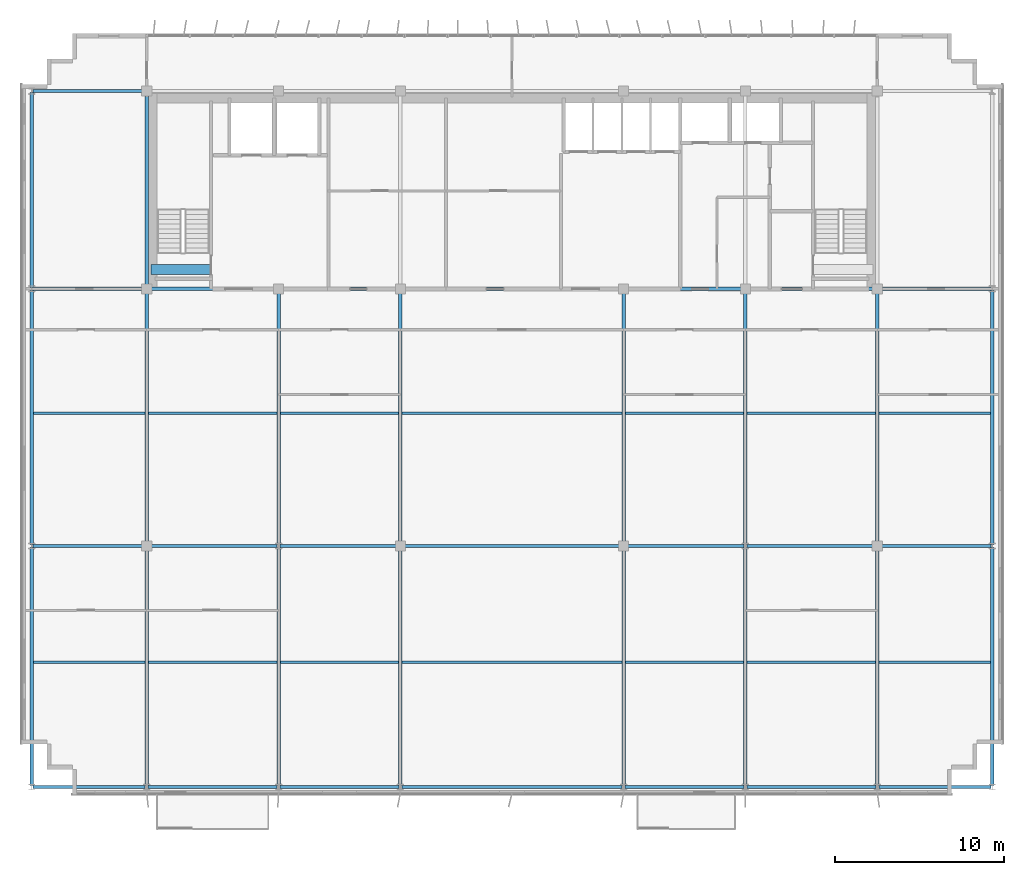
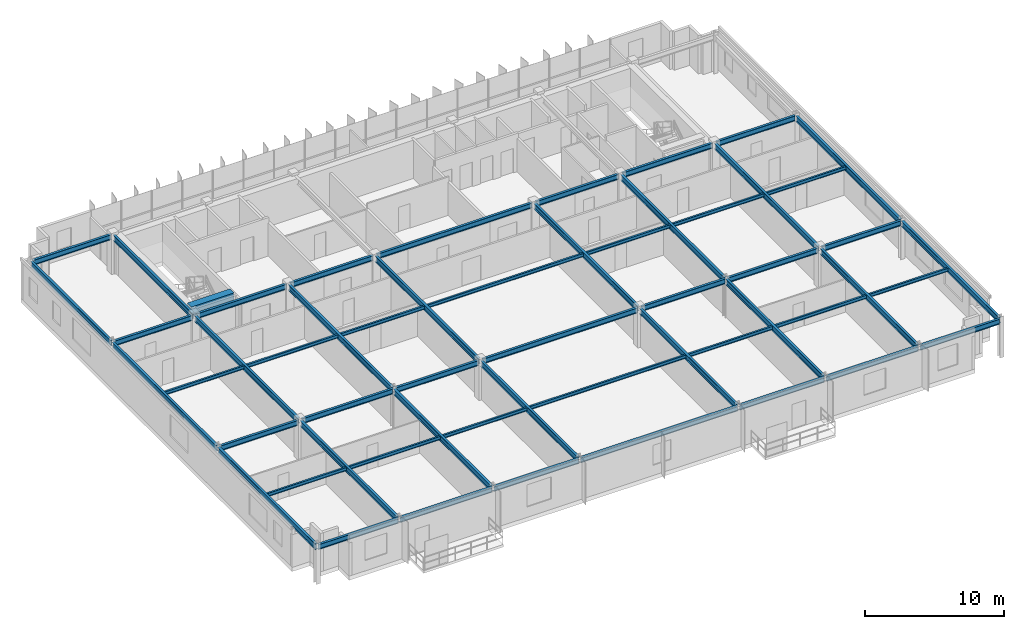
# One storey, part 5 of 21: 55 beams.
"""IFC4 building model written with IfcOpenShell, lengths in metres."""

from ifc_helpers import new_model, si_unit, direction, frame, origin, origin_2d, place, context, subcontext, project, spatial, rectangle, i_section, extrude, source, transform, mapped, material, material_profile, profile_set, type_object, element, save


model = new_model("IFC4")

# Units and contexts
model_context = context("Model", 3, precision=1e-05, world=origin(), true_north=direction((0.0, 1.0)))
body_context = subcontext(model_context, "Body", "Model", "MODEL_VIEW")
ifc_project = project(units=[si_unit("LENGTHUNIT", "METRE"), si_unit("AREAUNIT", "SQUARE_METRE"), si_unit("VOLUMEUNIT", "CUBIC_METRE"), si_unit("PLANEANGLEUNIT", "RADIAN"), si_unit("MASSUNIT", "GRAM", prefix="KILO")], contexts=[model_context])

# Site, building, storey
site_placement = place(None, origin())
site = spatial("IfcSite", under=ifc_project, at=site_placement, CompositionType="ELEMENT")
building_placement = place(site_placement, origin())
building = spatial("IfcBuilding", under=site, at=building_placement, Name="Trelvane Seafront Commons", CompositionType="ELEMENT")
storey_placement = place(building_placement, frame((0.0, 0.0, 248.699951171875)))
storey = spatial("IfcBuildingStorey", under=building, at=storey_placement, Name="L64", CompositionType="ELEMENT", Elevation=248.699951171875)

# Beams
ifc_material_1 = material(Name="Concrete C60/75", Category="concrete")
ifc_material_profile_1 = material_profile(ifc_material_1, rectangle(XDim=0.60009765625, YDim=0.89990234375, at=origin_2d()), Name="RC-600x900")
ifc_profile_set_1 = profile_set([ifc_material_profile_1], Name="Concrete C60/75")
beam_type_1 = type_object("IfcBeamType", Name="STR-LNT-RC600x900", PredefinedType="LINTEL", material=ifc_profile_set_1)
shared_shape_1 = source(origin(), body_context, "Body", "SweptSolid", [
    extrude(rectangle(XDim=0.60009765625, YDim=0.89990234375, at=origin_2d()), origin(), (0.0, 0.0, 1.0), 3.5498046875),
])
beam_1_placement = place(storey_placement, frame((15.85009765625, 34.550048828125, 2.920166015625), z_axis=(1.0, 0.0, 0.0), x_axis=(0.0, 1.0, 0.0)))
element("IfcBeam", 1, at=beam_1_placement, inside=storey, type_object=beam_type_1, Name="L64 Core Coupling Lintel Beam CB-67", PredefinedType="LINTEL", context=body_context, shape_type="MappedRepresentation", body=[
    mapped(shared_shape_1, transform((0.0, 0.0, 0.0), x_axis=(1.0, 0.0, 0.0), y_axis=(0.0, 1.0, 0.0), z_axis=(0.0, 0.0, 1.0), scale=1.0)),
])
ifc_material_2 = material(Name="Steel SM355 (S355)", Category="steel")
ifc_material_profile_2 = material_profile(ifc_material_2, i_section(OverallWidth=0.199951171875, OverallDepth=0.5, WebThickness=0.010009765625, FlangeThickness=0.01611328125, at=origin_2d()), Name="H-500x200x10x16")
ifc_profile_set_2 = profile_set([ifc_material_profile_2], Name="Steel SM355 (S355)")
beam_type_2 = type_object("IfcBeamType", Name="STR-BM-H500", PredefinedType="BEAM", material=ifc_profile_set_2)
shared_shape_2 = source(origin(), body_context, "Body", "SweptSolid", [
    extrude(i_section(OverallWidth=0.199951171875, OverallDepth=0.5, WebThickness=0.010009765625, FlangeThickness=0.01611328125, at=origin_2d()), origin(), (0.0, 0.0, 1.0), 14.89990234375),
])
for number, where, z_axis, x_axis, name in (
    (2, (15.60009765625, 18.35009765625, 3.1201171875), (0.0, 1.0, 0.0), (-1.0, 0.0, 0.0), "L64 Primary Girder G-33"),
    (3, (30.60009765625, 18.35009765625, 3.1201171875), (0.0, 1.0, 0.0), (-1.0, 0.0, 0.0), "L64 Primary Girder G-39"),
    (4, (43.800048828125, 18.35009765625, 3.1201171875), (0.0, 1.0, 0.0), (-1.0, 0.0, 0.0), "L64 Primary Girder G-42"),
    (5, (58.800048828125, 18.35009765625, 3.1201171875), (0.0, 1.0, 0.0), (-1.0, 0.0, 0.0), "L64 Primary Girder G-48"),
):
    element("IfcBeam", number, at=place(storey_placement, frame(where, z_axis=z_axis, x_axis=x_axis)), inside=storey, type_object=beam_type_2, Name=name, PredefinedType="BEAM", context=body_context, shape_type="MappedRepresentation", body=[
        mapped(shared_shape_2, transform((0.0, 0.0, 0.0), x_axis=(1.0, 0.0, 0.0), y_axis=(0.0, 1.0, 0.0), z_axis=(0.0, 0.0, 1.0), scale=1.0)),
    ])
shared_shape_3 = source(origin(), body_context, "Body", "SweptSolid", [
    extrude(i_section(OverallWidth=0.199951171875, OverallDepth=0.5, WebThickness=0.010009765625, FlangeThickness=0.01611328125, at=origin_2d()), origin(), (0.0, 0.0, 1.0), 11.39990234375),
])
beam_2_placement = place(storey_placement, frame((15.60009765625, 33.550048828125, 3.1201171875), z_axis=(0.0, 1.0, 0.0), x_axis=(-1.0, 0.0, 0.0)))
element("IfcBeam", 6, at=beam_2_placement, inside=storey, type_object=beam_type_2, Name="L64 Primary Girder G-34", PredefinedType="BEAM", context=body_context, shape_type="MappedRepresentation", body=[
    mapped(shared_shape_3, transform((0.0, 0.0, 0.0), x_axis=(1.0, 0.0, 0.0), y_axis=(0.0, 1.0, 0.0), z_axis=(0.0, 0.0, 1.0), scale=1.0)),
])
ifc_material_profile_3 = material_profile(ifc_material_2, i_section(OverallWidth=0.199951171875, OverallDepth=0.449951171875, WebThickness=0.009033203125, FlangeThickness=0.013916015625, at=origin_2d()), Name="H-450x200x9x14")
ifc_profile_set_3 = profile_set([ifc_material_profile_3], Name="Steel SM355 (S355)")
beam_type_3 = type_object("IfcBeamType", Name="STR-SPD-H450", PredefinedType="SPANDREL", material=ifc_profile_set_3)
shared_shape_4 = source(origin(), body_context, "Body", "SweptSolid", [
    extrude(i_section(OverallWidth=0.199951171875, OverallDepth=0.449951171875, WebThickness=0.009033203125, FlangeThickness=0.013916015625, at=origin_2d()), origin(), (0.0, 0.0, 1.0), 6.625),
])
for number, where, z_axis, x_axis, name in (
    (7, (8.887451171875, 3.949951171875, 3.14501953125), (1.0, 0.0, 0.0), (0.0, 1.0, 0.0), "L64 Primary Girder G-01"),
    (8, (58.887451171875, 3.949951171875, 3.14501953125), (1.0, 0.0, 0.0), (0.0, 1.0, 0.0), "L64 Primary Girder G-07"),
):
    element("IfcBeam", number, at=place(storey_placement, frame(where, z_axis=z_axis, x_axis=x_axis)), inside=storey, type_object=beam_type_3, Name=name, PredefinedType="SPANDREL", context=body_context, shape_type="MappedRepresentation", body=[
        mapped(shared_shape_4, transform((0.0, 0.0, 0.0), x_axis=(1.0, 0.0, 0.0), y_axis=(0.0, 1.0, 0.0), z_axis=(0.0, 0.0, 1.0), scale=1.0)),
    ])
shared_shape_5 = source(origin(), body_context, "Body", "SweptSolid", [
    extrude(i_section(OverallWidth=0.199951171875, OverallDepth=0.449951171875, WebThickness=0.009033203125, FlangeThickness=0.013916015625, at=origin_2d()), origin(), (0.0, 0.0, 1.0), 7.625),
])
for number, where, z_axis, x_axis, name in (
    (9, (15.6875, 3.949951171875, 3.14501953125), (1.0, 0.0, 0.0), (0.0, 1.0, 0.0), "L64 Primary Girder G-02"),
    (10, (51.08740234375, 3.949951171875, 3.14501953125), (1.0, 0.0, 0.0), (0.0, 1.0, 0.0), "L64 Primary Girder G-06"),
):
    element("IfcBeam", number, at=place(storey_placement, frame(where, z_axis=z_axis, x_axis=x_axis)), inside=storey, type_object=beam_type_3, Name=name, PredefinedType="SPANDREL", context=body_context, shape_type="MappedRepresentation", body=[
        mapped(shared_shape_5, transform((0.0, 0.0, 0.0), x_axis=(1.0, 0.0, 0.0), y_axis=(0.0, 1.0, 0.0), z_axis=(0.0, 0.0, 1.0), scale=1.0)),
    ])
shared_shape_6 = source(origin(), body_context, "Body", "SweptSolid", [
    extrude(i_section(OverallWidth=0.199951171875, OverallDepth=0.449951171875, WebThickness=0.009033203125, FlangeThickness=0.013916015625, at=origin_2d()), origin(), (0.0, 0.0, 1.0), 7.02490234375),
])
beam_3_placement = place(storey_placement, frame((23.487548828125, 3.949951171875, 3.14501953125), z_axis=(1.0, 0.0, 0.0), x_axis=(0.0, 1.0, 0.0)))
element("IfcBeam", 11, at=beam_3_placement, inside=storey, type_object=beam_type_3, Name="L64 Primary Girder G-03", PredefinedType="SPANDREL", context=body_context, shape_type="MappedRepresentation", body=[
    mapped(shared_shape_6, transform((0.0, 0.0, 0.0), x_axis=(1.0, 0.0, 0.0), y_axis=(0.0, 1.0, 0.0), z_axis=(0.0, 0.0, 1.0), scale=1.0)),
])
shared_shape_7 = source(origin(), body_context, "Body", "SweptSolid", [
    extrude(i_section(OverallWidth=0.199951171875, OverallDepth=0.449951171875, WebThickness=0.009033203125, FlangeThickness=0.013916015625, at=origin_2d()), origin(), (0.0, 0.0, 1.0), 7.025146484375),
])
beam_4_placement = place(storey_placement, frame((43.887451171875, 3.949951171875, 3.14501953125), z_axis=(1.0, 0.0, 0.0), x_axis=(0.0, 1.0, 0.0)))
element("IfcBeam", 12, at=beam_4_placement, inside=storey, type_object=beam_type_3, Name="L64 Primary Girder G-05", PredefinedType="SPANDREL", context=body_context, shape_type="MappedRepresentation", body=[
    mapped(shared_shape_7, transform((0.0, 0.0, 0.0), x_axis=(1.0, 0.0, 0.0), y_axis=(0.0, 1.0, 0.0), z_axis=(0.0, 0.0, 1.0), scale=1.0)),
])
shared_shape_8 = source(origin(), body_context, "Body", "SweptSolid", [
    extrude(i_section(OverallWidth=0.199951171875, OverallDepth=0.449951171875, WebThickness=0.009033203125, FlangeThickness=0.013916015625, at=origin_2d()), origin(), (0.0, 0.0, 1.0), 6.5625),
])
for number, where, z_axis, x_axis, name in (
    (13, (8.887451171875, 18.199951171875, 3.14501953125), (1.0, 0.0, 0.0), (0.0, 1.0, 0.0), "L64 Primary Girder G-08"),
    (14, (58.949951171875, 18.199951171875, 3.14501953125), (1.0, 0.0, 0.0), (0.0, 1.0, 0.0), "L64 Primary Girder G-14"),
    (15, (8.887451171875, 33.39990234375, 3.14501953125), (1.0, 0.0, 0.0), (0.0, 1.0, 0.0), "L64 Primary Girder G-15"),
    (16, (58.949951171875, 33.39990234375, 3.14501953125), (1.0, 0.0, 0.0), (0.0, 1.0, 0.0), "L64 Primary Girder G-21"),
    (17, (8.887451171875, 45.10009765625, 3.14501953125), (1.0, 0.0, 0.0), (0.0, 1.0, 0.0), "L64 Primary Girder G-22"),
):
    element("IfcBeam", number, at=place(storey_placement, frame(where, z_axis=z_axis, x_axis=x_axis)), inside=storey, type_object=beam_type_3, Name=name, PredefinedType="SPANDREL", context=body_context, shape_type="MappedRepresentation", body=[
        mapped(shared_shape_8, transform((0.0, 0.0, 0.0), x_axis=(1.0, 0.0, 0.0), y_axis=(0.0, 1.0, 0.0), z_axis=(0.0, 0.0, 1.0), scale=1.0)),
    ])
shared_shape_9 = source(origin(), body_context, "Body", "SweptSolid", [
    extrude(i_section(OverallWidth=0.199951171875, OverallDepth=0.449951171875, WebThickness=0.009033203125, FlangeThickness=0.013916015625, at=origin_2d()), origin(), (0.0, 0.0, 1.0), 7.5625),
])
for number, where, z_axis, x_axis, name in (
    (18, (15.75, 18.199951171875, 3.14501953125), (1.0, 0.0, 0.0), (0.0, 1.0, 0.0), "L64 Primary Girder G-09"),
    (19, (51.08740234375, 18.199951171875, 3.14501953125), (1.0, 0.0, 0.0), (0.0, 1.0, 0.0), "L64 Primary Girder G-13"),
):
    element("IfcBeam", number, at=place(storey_placement, frame(where, z_axis=z_axis, x_axis=x_axis)), inside=storey, type_object=beam_type_3, Name=name, PredefinedType="SPANDREL", context=body_context, shape_type="MappedRepresentation", body=[
        mapped(shared_shape_9, transform((0.0, 0.0, 0.0), x_axis=(1.0, 0.0, 0.0), y_axis=(0.0, 1.0, 0.0), z_axis=(0.0, 0.0, 1.0), scale=1.0)),
    ])
shared_shape_10 = source(origin(), body_context, "Body", "SweptSolid", [
    extrude(i_section(OverallWidth=0.199951171875, OverallDepth=0.449951171875, WebThickness=0.009033203125, FlangeThickness=0.013916015625, at=origin_2d()), origin(), (0.0, 0.0, 1.0), 6.96240234375),
])
beam_5_placement = place(storey_placement, frame((23.487548828125, 18.199951171875, 3.14501953125), z_axis=(1.0, 0.0, 0.0), x_axis=(0.0, 1.0, 0.0)))
element("IfcBeam", 20, at=beam_5_placement, inside=storey, type_object=beam_type_3, Name="L64 Primary Girder G-10", PredefinedType="SPANDREL", context=body_context, shape_type="MappedRepresentation", body=[
    mapped(shared_shape_10, transform((0.0, 0.0, 0.0), x_axis=(1.0, 0.0, 0.0), y_axis=(0.0, 1.0, 0.0), z_axis=(0.0, 0.0, 1.0), scale=1.0)),
])
shared_shape_11 = source(origin(), body_context, "Body", "SweptSolid", [
    extrude(i_section(OverallWidth=0.199951171875, OverallDepth=0.449951171875, WebThickness=0.009033203125, FlangeThickness=0.013916015625, at=origin_2d()), origin(), (0.0, 0.0, 1.0), 6.962646484375),
])
beam_6_placement = place(storey_placement, frame((43.949951171875, 18.199951171875, 3.14501953125), z_axis=(1.0, 0.0, 0.0), x_axis=(0.0, 1.0, 0.0)))
element("IfcBeam", 21, at=beam_6_placement, inside=storey, type_object=beam_type_3, Name="L64 Primary Girder G-12", PredefinedType="SPANDREL", context=body_context, shape_type="MappedRepresentation", body=[
    mapped(shared_shape_11, transform((0.0, 0.0, 0.0), x_axis=(1.0, 0.0, 0.0), y_axis=(0.0, 1.0, 0.0), z_axis=(0.0, 0.0, 1.0), scale=1.0)),
])
shared_shape_12 = source(origin(), body_context, "Body", "SweptSolid", [
    extrude(i_section(OverallWidth=0.199951171875, OverallDepth=0.449951171875, WebThickness=0.009033203125, FlangeThickness=0.013916015625, at=origin_2d()), origin(), (0.0, 0.0, 1.0), 7.5),
])
for number, where, z_axis, x_axis, name in (
    (22, (15.75, 33.39990234375, 3.14501953125), (1.0, 0.0, 0.0), (0.0, 1.0, 0.0), "L64 Primary Girder G-16"),
    (23, (51.14990234375, 33.39990234375, 3.14501953125), (1.0, 0.0, 0.0), (0.0, 1.0, 0.0), "L64 Primary Girder G-20"),
):
    element("IfcBeam", number, at=place(storey_placement, frame(where, z_axis=z_axis, x_axis=x_axis)), inside=storey, type_object=beam_type_3, Name=name, PredefinedType="SPANDREL", context=body_context, shape_type="MappedRepresentation", body=[
        mapped(shared_shape_12, transform((0.0, 0.0, 0.0), x_axis=(1.0, 0.0, 0.0), y_axis=(0.0, 1.0, 0.0), z_axis=(0.0, 0.0, 1.0), scale=1.0)),
    ])
shared_shape_13 = source(origin(), body_context, "Body", "SweptSolid", [
    extrude(i_section(OverallWidth=0.199951171875, OverallDepth=0.449951171875, WebThickness=0.009033203125, FlangeThickness=0.013916015625, at=origin_2d()), origin(), (0.0, 0.0, 1.0), 6.89990234375),
])
beam_7_placement = place(storey_placement, frame((23.550048828125, 33.39990234375, 3.14501953125), z_axis=(1.0, 0.0, 0.0), x_axis=(0.0, 1.0, 0.0)))
element("IfcBeam", 24, at=beam_7_placement, inside=storey, type_object=beam_type_3, Name="L64 Primary Girder G-17", PredefinedType="SPANDREL", context=body_context, shape_type="MappedRepresentation", body=[
    mapped(shared_shape_13, transform((0.0, 0.0, 0.0), x_axis=(1.0, 0.0, 0.0), y_axis=(0.0, 1.0, 0.0), z_axis=(0.0, 0.0, 1.0), scale=1.0)),
])
shared_shape_14 = source(origin(), body_context, "Body", "SweptSolid", [
    extrude(i_section(OverallWidth=0.199951171875, OverallDepth=0.449951171875, WebThickness=0.009033203125, FlangeThickness=0.013916015625, at=origin_2d()), origin(), (0.0, 0.0, 1.0), 12.89990234375),
])
for number, where, z_axis, x_axis, name in (
    (25, (30.75, 18.199951171875, 3.14501953125), (1.0, 0.0, 0.0), (0.0, 1.0, 0.0), "L64 Primary Girder G-11"),
    (26, (30.75, 33.39990234375, 3.14501953125), (1.0, 0.0, 0.0), (0.0, 1.0, 0.0), "L64 Primary Girder G-18"),
):
    element("IfcBeam", number, at=place(storey_placement, frame(where, z_axis=z_axis, x_axis=x_axis)), inside=storey, type_object=beam_type_3, Name=name, PredefinedType="SPANDREL", context=body_context, shape_type="MappedRepresentation", body=[
        mapped(shared_shape_14, transform((0.0, 0.0, 0.0), x_axis=(1.0, 0.0, 0.0), y_axis=(0.0, 1.0, 0.0), z_axis=(0.0, 0.0, 1.0), scale=1.0)),
    ])
shared_shape_15 = source(origin(), body_context, "Body", "SweptSolid", [
    extrude(i_section(OverallWidth=0.199951171875, OverallDepth=0.449951171875, WebThickness=0.009033203125, FlangeThickness=0.013916015625, at=origin_2d()), origin(), (0.0, 0.0, 1.0), 6.900146484375),
])
beam_8_placement = place(storey_placement, frame((43.949951171875, 33.39990234375, 3.14501953125), z_axis=(1.0, 0.0, 0.0), x_axis=(0.0, 1.0, 0.0)))
element("IfcBeam", 27, at=beam_8_placement, inside=storey, type_object=beam_type_3, Name="L64 Primary Girder G-19", PredefinedType="SPANDREL", context=body_context, shape_type="MappedRepresentation", body=[
    mapped(shared_shape_15, transform((0.0, 0.0, 0.0), x_axis=(1.0, 0.0, 0.0), y_axis=(0.0, 1.0, 0.0), z_axis=(0.0, 0.0, 1.0), scale=1.0)),
])
shared_shape_16 = source(origin(), body_context, "Body", "SweptSolid", [
    extrude(i_section(OverallWidth=0.199951171875, OverallDepth=0.5, WebThickness=0.010009765625, FlangeThickness=0.01611328125, at=origin_2d()), origin(), (0.0, 0.0, 1.0), 14.074951171875),
])
for number, where, z_axis, x_axis, name in (
    (28, (8.800048828125, 4.03759765625, 3.1201171875), (0.0, 1.0, 0.0), (-1.0, 0.0, 0.0), "L64 Primary Girder G-29"),
    (29, (23.39990234375, 4.03759765625, 3.1201171875), (0.0, 1.0, 0.0), (-1.0, 0.0, 0.0), "L64 Primary Girder G-35"),
    (30, (51.0, 4.03759765625, 3.1201171875), (0.0, 1.0, 0.0), (-1.0, 0.0, 0.0), "L64 Primary Girder G-44"),
    (31, (65.60009765625, 4.03759765625, 3.1201171875), (0.0, 1.0, 0.0), (-1.0, 0.0, 0.0), "L64 Primary Girder G-50"),
):
    element("IfcBeam", number, at=place(storey_placement, frame(where, z_axis=z_axis, x_axis=x_axis)), inside=storey, type_object=beam_type_2, Name=name, PredefinedType="BEAM", context=body_context, shape_type="MappedRepresentation", body=[
        mapped(shared_shape_16, transform((0.0, 0.0, 0.0), x_axis=(1.0, 0.0, 0.0), y_axis=(0.0, 1.0, 0.0), z_axis=(0.0, 0.0, 1.0), scale=1.0)),
    ])
shared_shape_17 = source(origin(), body_context, "Body", "SweptSolid", [
    extrude(i_section(OverallWidth=0.199951171875, OverallDepth=0.5, WebThickness=0.010009765625, FlangeThickness=0.01611328125, at=origin_2d()), origin(), (0.0, 0.0, 1.0), 15.02490234375),
])
for number, where, z_axis, x_axis, name in (
    (32, (8.800048828125, 18.28759765625, 3.1201171875), (0.0, 1.0, 0.0), (-1.0, 0.0, 0.0), "L64 Primary Girder G-30"),
    (33, (65.60009765625, 18.28759765625, 3.1201171875), (0.0, 1.0, 0.0), (-1.0, 0.0, 0.0), "L64 Primary Girder G-51"),
):
    element("IfcBeam", number, at=place(storey_placement, frame(where, z_axis=z_axis, x_axis=x_axis)), inside=storey, type_object=beam_type_2, Name=name, PredefinedType="BEAM", context=body_context, shape_type="MappedRepresentation", body=[
        mapped(shared_shape_17, transform((0.0, 0.0, 0.0), x_axis=(1.0, 0.0, 0.0), y_axis=(0.0, 1.0, 0.0), z_axis=(0.0, 0.0, 1.0), scale=1.0)),
    ])
shared_shape_18 = source(origin(), body_context, "Body", "SweptSolid", [
    extrude(i_section(OverallWidth=0.199951171875, OverallDepth=0.5, WebThickness=0.010009765625, FlangeThickness=0.01611328125, at=origin_2d()), origin(), (0.0, 0.0, 1.0), 11.52490234375),
])
beam_9_placement = place(storey_placement, frame((8.800048828125, 33.487548828125, 3.1201171875), z_axis=(0.0, 1.0, 0.0), x_axis=(-1.0, 0.0, 0.0)))
element("IfcBeam", 34, at=beam_9_placement, inside=storey, type_object=beam_type_2, Name="L64 Primary Girder G-31", PredefinedType="BEAM", context=body_context, shape_type="MappedRepresentation", body=[
    mapped(shared_shape_18, transform((0.0, 0.0, 0.0), x_axis=(1.0, 0.0, 0.0), y_axis=(0.0, 1.0, 0.0), z_axis=(0.0, 0.0, 1.0), scale=1.0)),
])
shared_shape_19 = source(origin(), body_context, "Body", "SweptSolid", [
    extrude(i_section(OverallWidth=0.199951171875, OverallDepth=0.5, WebThickness=0.010009765625, FlangeThickness=0.01611328125, at=origin_2d()), origin(), (0.0, 0.0, 1.0), 14.012451171875),
])
for number, where, z_axis, x_axis, name in (
    (35, (15.60009765625, 4.03759765625, 3.1201171875), (0.0, 1.0, 0.0), (-1.0, 0.0, 0.0), "L64 Primary Girder G-32"),
    (36, (30.60009765625, 4.03759765625, 3.1201171875), (0.0, 1.0, 0.0), (-1.0, 0.0, 0.0), "L64 Primary Girder G-38"),
    (37, (43.800048828125, 4.03759765625, 3.1201171875), (0.0, 1.0, 0.0), (-1.0, 0.0, 0.0), "L64 Primary Girder G-41"),
    (38, (58.800048828125, 4.03759765625, 3.1201171875), (0.0, 1.0, 0.0), (-1.0, 0.0, 0.0), "L64 Primary Girder G-47"),
):
    element("IfcBeam", number, at=place(storey_placement, frame(where, z_axis=z_axis, x_axis=x_axis)), inside=storey, type_object=beam_type_2, Name=name, PredefinedType="BEAM", context=body_context, shape_type="MappedRepresentation", body=[
        mapped(shared_shape_19, transform((0.0, 0.0, 0.0), x_axis=(1.0, 0.0, 0.0), y_axis=(0.0, 1.0, 0.0), z_axis=(0.0, 0.0, 1.0), scale=1.0)),
    ])
shared_shape_20 = source(origin(), body_context, "Body", "SweptSolid", [
    extrude(i_section(OverallWidth=0.199951171875, OverallDepth=0.5, WebThickness=0.010009765625, FlangeThickness=0.01611328125, at=origin_2d()), origin(), (0.0, 0.0, 1.0), 14.96240234375),
])
for number, where, z_axis, x_axis, name in (
    (39, (23.39990234375, 18.28759765625, 3.1201171875), (0.0, 1.0, 0.0), (-1.0, 0.0, 0.0), "L64 Primary Girder G-36"),
    (40, (51.0, 18.28759765625, 3.1201171875), (0.0, 1.0, 0.0), (-1.0, 0.0, 0.0), "L64 Primary Girder G-45"),
):
    element("IfcBeam", number, at=place(storey_placement, frame(where, z_axis=z_axis, x_axis=x_axis)), inside=storey, type_object=beam_type_2, Name=name, PredefinedType="BEAM", context=body_context, shape_type="MappedRepresentation", body=[
        mapped(shared_shape_20, transform((0.0, 0.0, 0.0), x_axis=(1.0, 0.0, 0.0), y_axis=(0.0, 1.0, 0.0), z_axis=(0.0, 0.0, 1.0), scale=1.0)),
    ])
ifc_material_profile_4 = material_profile(ifc_material_2, i_section(OverallWidth=0.14990234375, OverallDepth=0.300048828125, WebThickness=0.006591796875, FlangeThickness=0.009033203125, at=origin_2d()), Name="H-300x150x6.5x9")
ifc_profile_set_4 = profile_set([ifc_material_profile_4], Name="Steel SM355 (S355)")
beam_type_4 = type_object("IfcBeamType", Name="STR-JST-H300", PredefinedType="JOIST", material=ifc_profile_set_4)
shared_shape_21 = source(origin(), body_context, "Body", "SweptSolid", [
    extrude(i_section(OverallWidth=0.14990234375, OverallDepth=0.300048828125, WebThickness=0.006591796875, FlangeThickness=0.009033203125, at=origin_2d()), origin(), (0.0, 0.0, 1.0), 6.60009765625),
])
for number, where, z_axis, x_axis, name in (
    (41, (8.89990234375, 11.324951171875, 3.219970703125), (1.0, 0.0, 0.0), (0.0, 1.0, 0.0), "L64 Secondary Floor Joist B-53"),
    (42, (58.89990234375, 11.324951171875, 3.219970703125), (1.0, 0.0, 0.0), (0.0, 1.0, 0.0), "L64 Secondary Floor Joist B-59"),
    (43, (8.89990234375, 26.050048828125, 3.219970703125), (1.0, 0.0, 0.0), (0.0, 1.0, 0.0), "L64 Secondary Floor Joist B-60"),
    (44, (58.89990234375, 26.050048828125, 3.219970703125), (1.0, 0.0, 0.0), (0.0, 1.0, 0.0), "L64 Secondary Floor Joist B-66"),
):
    element("IfcBeam", number, at=place(storey_placement, frame(where, z_axis=z_axis, x_axis=x_axis)), inside=storey, type_object=beam_type_4, Name=name, PredefinedType="JOIST", context=body_context, shape_type="MappedRepresentation", body=[
        mapped(shared_shape_21, transform((0.0, 0.0, 0.0), x_axis=(1.0, 0.0, 0.0), y_axis=(0.0, 1.0, 0.0), z_axis=(0.0, 0.0, 1.0), scale=1.0)),
    ])
shared_shape_22 = source(origin(), body_context, "Body", "SweptSolid", [
    extrude(i_section(OverallWidth=0.14990234375, OverallDepth=0.300048828125, WebThickness=0.006591796875, FlangeThickness=0.009033203125, at=origin_2d()), origin(), (0.0, 0.0, 1.0), 7.60009765625),
])
for number, where, z_axis, x_axis, name in (
    (45, (15.699951171875, 11.324951171875, 3.219970703125), (1.0, 0.0, 0.0), (0.0, 1.0, 0.0), "L64 Secondary Floor Joist B-54"),
    (46, (15.699951171875, 26.050048828125, 3.219970703125), (1.0, 0.0, 0.0), (0.0, 1.0, 0.0), "L64 Secondary Floor Joist B-61"),
):
    element("IfcBeam", number, at=place(storey_placement, frame(where, z_axis=z_axis, x_axis=x_axis)), inside=storey, type_object=beam_type_4, Name=name, PredefinedType="JOIST", context=body_context, shape_type="MappedRepresentation", body=[
        mapped(shared_shape_22, transform((0.0, 0.0, 0.0), x_axis=(1.0, 0.0, 0.0), y_axis=(0.0, 1.0, 0.0), z_axis=(0.0, 0.0, 1.0), scale=1.0)),
    ])
shared_shape_23 = source(origin(), body_context, "Body", "SweptSolid", [
    extrude(i_section(OverallWidth=0.14990234375, OverallDepth=0.300048828125, WebThickness=0.006591796875, FlangeThickness=0.009033203125, at=origin_2d()), origin(), (0.0, 0.0, 1.0), 7.0),
])
for number, where, z_axis, x_axis, name in (
    (47, (23.5, 11.324951171875, 3.219970703125), (1.0, 0.0, 0.0), (0.0, 1.0, 0.0), "L64 Secondary Floor Joist B-55"),
    (48, (43.89990234375, 11.324951171875, 3.219970703125), (1.0, 0.0, 0.0), (0.0, 1.0, 0.0), "L64 Secondary Floor Joist B-57"),
    (49, (23.5, 26.050048828125, 3.219970703125), (1.0, 0.0, 0.0), (0.0, 1.0, 0.0), "L64 Secondary Floor Joist B-62"),
    (50, (43.89990234375, 26.050048828125, 3.219970703125), (1.0, 0.0, 0.0), (0.0, 1.0, 0.0), "L64 Secondary Floor Joist B-64"),
):
    element("IfcBeam", number, at=place(storey_placement, frame(where, z_axis=z_axis, x_axis=x_axis)), inside=storey, type_object=beam_type_4, Name=name, PredefinedType="JOIST", context=body_context, shape_type="MappedRepresentation", body=[
        mapped(shared_shape_23, transform((0.0, 0.0, 0.0), x_axis=(1.0, 0.0, 0.0), y_axis=(0.0, 1.0, 0.0), z_axis=(0.0, 0.0, 1.0), scale=1.0)),
    ])
shared_shape_24 = source(origin(), body_context, "Body", "SweptSolid", [
    extrude(i_section(OverallWidth=0.14990234375, OverallDepth=0.300048828125, WebThickness=0.006591796875, FlangeThickness=0.009033203125, at=origin_2d()), origin(), (0.0, 0.0, 1.0), 7.599853515625),
])
for number, where, z_axis, x_axis, name in (
    (51, (51.10009765625, 11.324951171875, 3.219970703125), (1.0, 0.0, 0.0), (0.0, 1.0, 0.0), "L64 Secondary Floor Joist B-58"),
    (52, (51.10009765625, 26.050048828125, 3.219970703125), (1.0, 0.0, 0.0), (0.0, 1.0, 0.0), "L64 Secondary Floor Joist B-65"),
):
    element("IfcBeam", number, at=place(storey_placement, frame(where, z_axis=z_axis, x_axis=x_axis)), inside=storey, type_object=beam_type_4, Name=name, PredefinedType="JOIST", context=body_context, shape_type="MappedRepresentation", body=[
        mapped(shared_shape_24, transform((0.0, 0.0, 0.0), x_axis=(1.0, 0.0, 0.0), y_axis=(0.0, 1.0, 0.0), z_axis=(0.0, 0.0, 1.0), scale=1.0)),
    ])
shared_shape_25 = source(origin(), body_context, "Body", "SweptSolid", [
    extrude(i_section(OverallWidth=0.14990234375, OverallDepth=0.300048828125, WebThickness=0.006591796875, FlangeThickness=0.009033203125, at=origin_2d()), origin(), (0.0, 0.0, 1.0), 13.0),
])
for number, where, z_axis, x_axis, name in (
    (53, (30.699951171875, 11.324951171875, 3.219970703125), (1.0, 0.0, 0.0), (0.0, 1.0, 0.0), "L64 Secondary Floor Joist B-56"),
    (54, (30.699951171875, 26.050048828125, 3.219970703125), (1.0, 0.0, 0.0), (0.0, 1.0, 0.0), "L64 Secondary Floor Joist B-63"),
):
    element("IfcBeam", number, at=place(storey_placement, frame(where, z_axis=z_axis, x_axis=x_axis)), inside=storey, type_object=beam_type_4, Name=name, PredefinedType="JOIST", context=body_context, shape_type="MappedRepresentation", body=[
        mapped(shared_shape_25, transform((0.0, 0.0, 0.0), x_axis=(1.0, 0.0, 0.0), y_axis=(0.0, 1.0, 0.0), z_axis=(0.0, 0.0, 1.0), scale=1.0)),
    ])
shared_shape_26 = source(origin(), body_context, "Body", "SweptSolid", [
    extrude(i_section(OverallWidth=0.199951171875, OverallDepth=0.449951171875, WebThickness=0.009033203125, FlangeThickness=0.013916015625, at=origin_2d()), origin(), (0.0, 0.0, 1.0), 13.02490234375),
])
beam_10_placement = place(storey_placement, frame((30.6875, 3.949951171875, 3.14501953125), z_axis=(1.0, 0.0, 0.0), x_axis=(0.0, 1.0, 0.0)))
element("IfcBeam", 55, at=beam_10_placement, inside=storey, type_object=beam_type_3, Name="L64 Primary Girder G-04", PredefinedType="SPANDREL", context=body_context, shape_type="MappedRepresentation", body=[
    mapped(shared_shape_26, transform((0.0, 0.0, 0.0), x_axis=(1.0, 0.0, 0.0), y_axis=(0.0, 1.0, 0.0), z_axis=(0.0, 0.0, 1.0), scale=1.0)),
])

save(model, "model.ifc")
